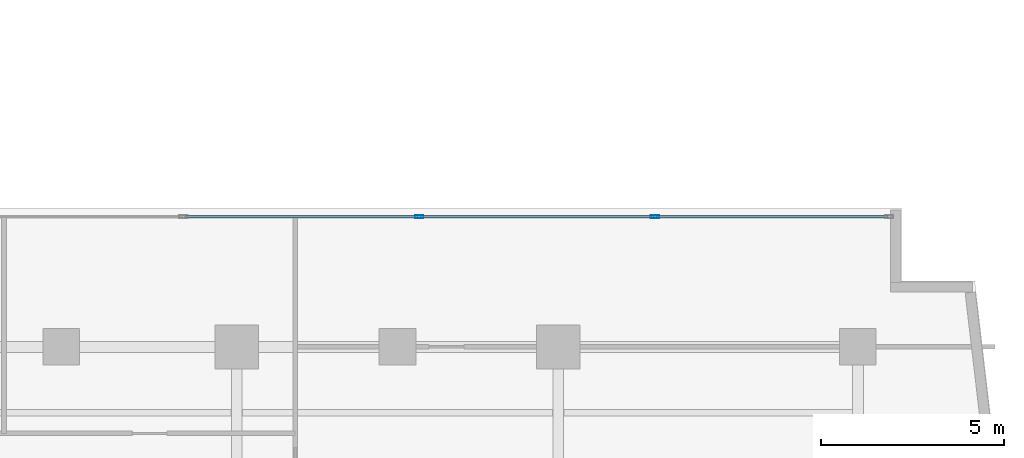
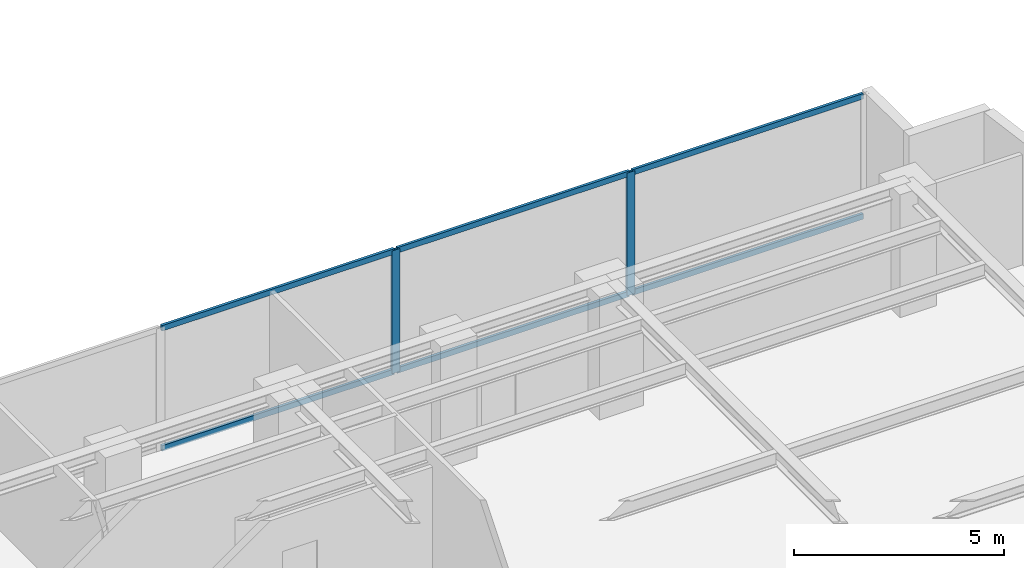
# One storey, part 13 of 26: 8 members, 1 element without a shape of its own.
"""IFC4 building model written with IfcOpenShell, lengths in metres."""

from ifc_helpers import new_model, si_unit, direction, frame, origin, origin_with_axes, origin_2d, place, context, subcontext, project, spatial, hollow_rectangle, extrude, source, transform, mapped, material, layer, layer_set, material_profile, profile_set, type_object, element, aggregate, save


model = new_model("IFC4")

# Units and contexts
model_context = context("Model", 3, precision=1e-05, world=origin(), true_north=direction((0.0, 1.0)))
body_context = subcontext(model_context, "Body", "Model", "MODEL_VIEW")
ifc_project = project(units=[si_unit("LENGTHUNIT", "METRE"), si_unit("AREAUNIT", "SQUARE_METRE"), si_unit("VOLUMEUNIT", "CUBIC_METRE"), si_unit("PLANEANGLEUNIT", "RADIAN"), si_unit("MASSUNIT", "GRAM", prefix="KILO")], contexts=[model_context])

# Site, building, storey
site_placement = place(None, origin())
site = spatial("IfcSite", under=ifc_project, at=site_placement, CompositionType="ELEMENT")
building_placement = place(site_placement, origin())
building = spatial("IfcBuilding", under=site, at=building_placement, Name="Kolvaren Waterfront Exchange", CompositionType="ELEMENT")
storey_placement = place(building_placement, frame((0.0, 0.0, 180.39990234375)))
storey = spatial("IfcBuildingStorey", under=building, at=storey_placement, Name="L46", CompositionType="ELEMENT", Elevation=180.39990234375)

# Curtain wall, members
ifc_material_1 = material(Name="Anodised bronze aluminium 6063-T6", Category="aluminium")
ifc_layer = layer(ifc_material_1, 0.219970703125, Name="Anodised bronze aluminium 6063-T6")
ifc_layer_set = layer_set([ifc_layer], Name="Anodised bronze aluminium 6063-T6")
curtain_wall_type = type_object("IfcCurtainWallType", Name="ARC-CW-SYS1", PredefinedType="USERDEFINED", material=ifc_layer_set)
curtain_wall_placement = place(storey_placement, origin())
curtain_wall = element("IfcCurtainWall", 1, at=curtain_wall_placement, inside=storey, type_object=curtain_wall_type, Name="L46 stick curtain wall CW1 (CW-L46-EN)", ObjectType="STICK CURTAIN WALL", PredefinedType="USERDEFINED")
ifc_material_2 = material(Name="Anodised aluminium 6063-T6", Category="aluminium")
ifc_material_profile_1 = material_profile(ifc_material_2, hollow_rectangle(XDim=0.080078125, YDim=0.219970703125, WallThickness=0.0048828125, at=origin_2d()), Name="ALU-MUL-220x80x5")
ifc_profile_set_1 = profile_set([ifc_material_profile_1], Name="Anodised aluminium 6063-T6")
member_type_1 = type_object("IfcMemberType", Name="ARC-CWM-220", PredefinedType="MULLION", material=ifc_profile_set_1)
shared_shape_1 = source(origin_with_axes(), body_context, "Body", "SweptSolid", [
    extrude(hollow_rectangle(XDim=0.080078125, YDim=0.219970703125, WallThickness=0.0048828125, at=origin_2d()), origin(), (0.0, 0.0, 1.0), 3.56005859375),
])
member_1_placement = place(storey_placement, frame((41.794921875, 20.9599609375, 0.0), z_axis=(0.0, 0.0, 1.0), x_axis=(0.0, 1.0, 0.0)))
member_1 = element("IfcMember", 2, at=member_1_placement, type_object=member_type_1, Name="CW1 mullion 3", PredefinedType="MULLION", context=body_context, shape_type="MappedRepresentation", body=[
    mapped(shared_shape_1, transform((0.0, 0.0, 0.0), x_axis=(1.0, 0.0, 0.0), y_axis=(0.0, 1.0, 0.0), z_axis=(0.0, 0.0, 1.0), scale=1.0)),
])
member_2_placement = place(storey_placement, frame((48.24755859375, 20.9599609375, 0.0), z_axis=(0.0, 0.0, 1.0), x_axis=(0.0, 1.0, 0.0)))
member_2 = element("IfcMember", 3, at=member_2_placement, type_object=member_type_1, Name="CW1 mullion 4", PredefinedType="MULLION", context=body_context, shape_type="MappedRepresentation", body=[
    mapped(shared_shape_1, transform((0.0, 0.0, 0.0), x_axis=(1.0, 0.0, 0.0), y_axis=(0.0, 1.0, 0.0), z_axis=(0.0, 0.0, 1.0), scale=1.0)),
])
ifc_material_profile_2 = material_profile(ifc_material_2, hollow_rectangle(XDim=0.074951171875, YDim=0.159912109375, WallThickness=0.00439453125, at=origin_2d()), Name="ALU-TRN-160x75x4.5")
ifc_profile_set_2 = profile_set([ifc_material_profile_2], Name="Anodised aluminium 6063-T6")
member_type_2 = type_object("IfcMemberType", Name="ARC-CWT-160", PredefinedType="USERDEFINED", material=ifc_profile_set_2)
shared_shape_2 = source(origin_with_axes(), body_context, "Body", "SweptSolid", [
    extrude(hollow_rectangle(XDim=0.074951171875, YDim=0.159912109375, WallThickness=0.00439453125, at=origin_2d()), origin(), (0.0, 0.0, 1.0), 6.33251953125),
])
member_3_placement = place(storey_placement, frame((48.28759765625, 20.9599609375, 0.03759765625), z_axis=(1.0, 0.0, 0.0), x_axis=(0.0, 1.0, 0.0)))
member_3 = element("IfcMember", 4, at=member_3_placement, type_object=member_type_2, Name="CW1 transom 4.1", ObjectType="TRANSOM", PredefinedType="USERDEFINED", context=body_context, shape_type="MappedRepresentation", body=[
    mapped(shared_shape_2, transform((0.0, 0.0, 0.0), x_axis=(1.0, 0.0, 0.0), y_axis=(0.0, 1.0, 0.0), z_axis=(0.0, 0.0, 1.0), scale=1.0)),
])
member_4_placement = place(storey_placement, frame((48.28759765625, 20.9599609375, 3.522705078125), z_axis=(1.0, 0.0, 0.0), x_axis=(0.0, 1.0, 0.0)))
member_4 = element("IfcMember", 5, at=member_4_placement, type_object=member_type_2, Name="CW1 transom 4.2", ObjectType="TRANSOM", PredefinedType="USERDEFINED", context=body_context, shape_type="MappedRepresentation", body=[
    mapped(shared_shape_2, transform((0.0, 0.0, 0.0), x_axis=(1.0, 0.0, 0.0), y_axis=(0.0, 1.0, 0.0), z_axis=(0.0, 0.0, 1.0), scale=1.0)),
])
shared_shape_3 = source(origin_with_axes(), body_context, "Body", "SweptSolid", [
    extrude(hollow_rectangle(XDim=0.074951171875, YDim=0.159912109375, WallThickness=0.00439453125, at=origin_2d()), origin(), (0.0, 0.0, 1.0), 6.372314453125),
])
member_5_placement = place(storey_placement, frame((35.382568359375, 20.9599609375, 0.03759765625), z_axis=(1.0, 0.0, 0.0), x_axis=(0.0, 1.0, 0.0)))
member_5 = element("IfcMember", 6, at=member_5_placement, type_object=member_type_2, Name="CW1 transom 2.1", ObjectType="TRANSOM", PredefinedType="USERDEFINED", context=body_context, shape_type="MappedRepresentation", body=[
    mapped(shared_shape_3, transform((0.0, 0.0, 0.0), x_axis=(1.0, 0.0, 0.0), y_axis=(0.0, 1.0, 0.0), z_axis=(0.0, 0.0, 1.0), scale=1.0)),
])
member_6_placement = place(storey_placement, frame((35.382568359375, 20.9599609375, 3.522705078125), z_axis=(1.0, 0.0, 0.0), x_axis=(0.0, 1.0, 0.0)))
member_6 = element("IfcMember", 7, at=member_6_placement, type_object=member_type_2, Name="CW1 transom 2.2", ObjectType="TRANSOM", PredefinedType="USERDEFINED", context=body_context, shape_type="MappedRepresentation", body=[
    mapped(shared_shape_3, transform((0.0, 0.0, 0.0), x_axis=(1.0, 0.0, 0.0), y_axis=(0.0, 1.0, 0.0), z_axis=(0.0, 0.0, 1.0), scale=1.0)),
])
shared_shape_4 = source(origin_with_axes(), body_context, "Body", "SweptSolid", [
    extrude(hollow_rectangle(XDim=0.074951171875, YDim=0.159912109375, WallThickness=0.00439453125, at=origin_2d()), origin(), (0.0, 0.0, 1.0), 6.37255859375),
])
member_7_placement = place(storey_placement, frame((41.8349609375, 20.9599609375, 0.03759765625), z_axis=(1.0, 0.0, 0.0), x_axis=(0.0, 1.0, 0.0)))
member_7 = element("IfcMember", 8, at=member_7_placement, type_object=member_type_2, Name="CW1 transom 3.1", ObjectType="TRANSOM", PredefinedType="USERDEFINED", context=body_context, shape_type="MappedRepresentation", body=[
    mapped(shared_shape_4, transform((0.0, 0.0, 0.0), x_axis=(1.0, 0.0, 0.0), y_axis=(0.0, 1.0, 0.0), z_axis=(0.0, 0.0, 1.0), scale=1.0)),
])
member_8_placement = place(storey_placement, frame((41.8349609375, 20.9599609375, 3.522705078125), z_axis=(1.0, 0.0, 0.0), x_axis=(0.0, 1.0, 0.0)))
member_8 = element("IfcMember", 9, at=member_8_placement, type_object=member_type_2, Name="CW1 transom 3.2", ObjectType="TRANSOM", PredefinedType="USERDEFINED", context=body_context, shape_type="MappedRepresentation", body=[
    mapped(shared_shape_4, transform((0.0, 0.0, 0.0), x_axis=(1.0, 0.0, 0.0), y_axis=(0.0, 1.0, 0.0), z_axis=(0.0, 0.0, 1.0), scale=1.0)),
])
aggregate(curtain_wall, [member_1, member_2, member_5, member_6, member_7, member_8, member_3, member_4])

save(model, "model.ifc")
